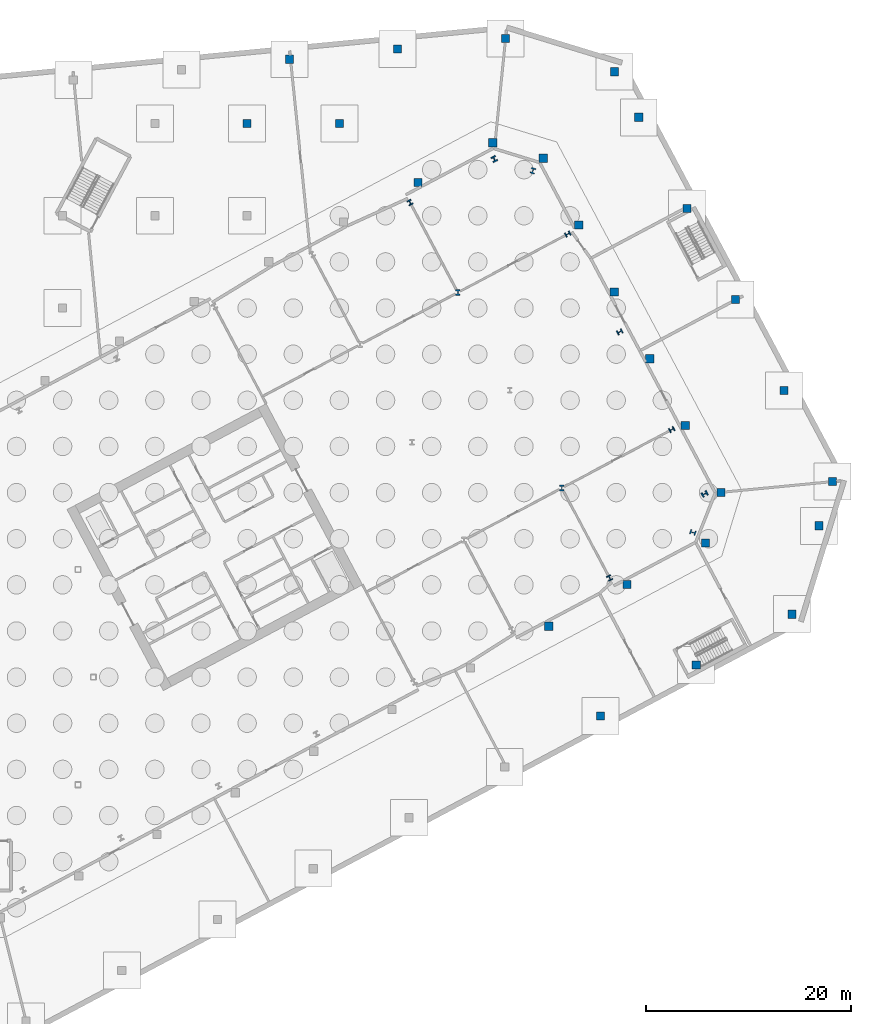
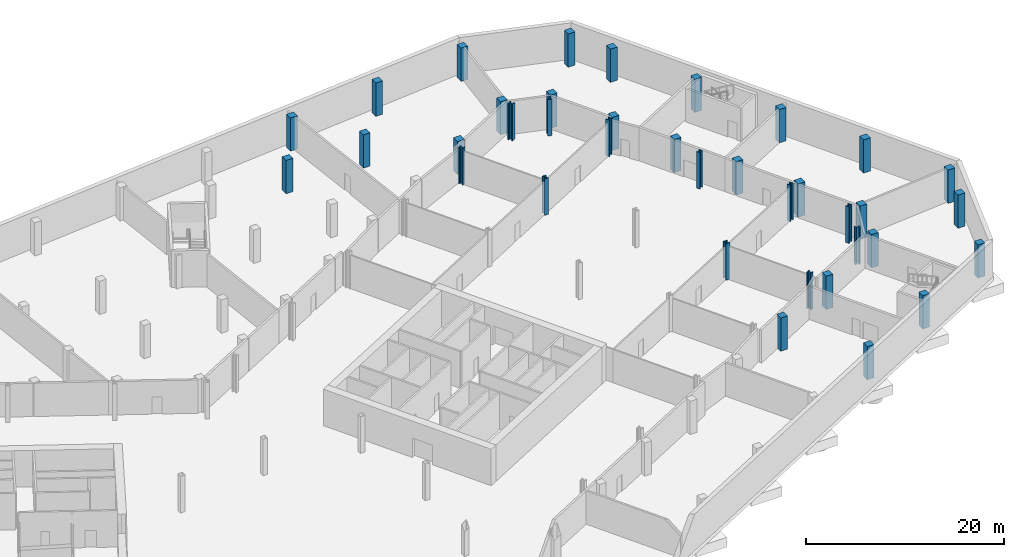
# One storey, part 7 of 29: 37 columns.
"""IFC4 building model written with IfcOpenShell, lengths in metres."""

import ifcopenshell
import ifcopenshell.guid

model = None  # the IFC model being written
_history = None  # IfcOwnerHistory: only IFC2X3 demands one
_inside = {}  # id of a spatial element -> (the spatial element, [elements in it])
_under = {}  # id of a project, library or spatial element -> (it, [spatial elements below it])
_declared = {}  # id of a project -> (the project, [libraries it declares])
_typed = {}  # id of a type object -> (the type object, [elements of that type])
_made_of = {}  # id of a material, layer set ... -> (it, [elements and type objects made of it])


def new_model(schema):
    """Start an empty IFC model of exactly this schema.

    Asked for "IFC4X3", IfcOpenShell would pick the latest addendum, in which some entities
    have other attributes; the version numbers below select the first issue.
    IFC2X3 requires an IfcOwnerHistory on every rooted entity: one is made here for all.
    """
    global model, _history
    if schema == "IFC4X3":
        model = ifcopenshell.file(schema_version=(4, 3, 0, 0))
    else:
        model = ifcopenshell.file(schema=schema)
    _inside.clear()
    _under.clear()
    _declared.clear()
    _typed.clear()
    _made_of.clear()
    _history = None
    if model.schema == "IFC2X3":
        org = make("IfcOrganization", Name="unknown")
        user = make(
            "IfcPersonAndOrganization",
            ThePerson=make("IfcPerson", FamilyName="unknown"),
            TheOrganization=org,
        )
        app = make(
            "IfcApplication",
            ApplicationDeveloper=org,
            Version="unknown",
            ApplicationFullName="unknown",
            ApplicationIdentifier="unknown",
        )
        _history = make(
            "IfcOwnerHistory",
            OwningUser=user,
            OwningApplication=app,
            ChangeAction="ADDED",
            CreationDate=0,
        )
    return model


def make(cls, **values):
    """One entity of the class cls with the attributes given. An attribute that is None is left unset."""
    return model.create_entity(
        cls, **{name: value for name, value in values.items() if value is not None}
    )


def rooted(cls, **values):
    """An entity with a GlobalId (a new one), such as an element, a storey or a relation."""
    return make(cls, GlobalId=ifcopenshell.guid.new(), OwnerHistory=_history, **values)


def si_unit(unit_type, name, prefix=None):
    """IfcSIUnit, for example si_unit("LENGTHUNIT", "METRE", prefix="MILLI")."""
    return make("IfcSIUnit", UnitType=unit_type, Prefix=prefix, Name=name)


def assignment(units):
    """IfcUnitAssignment: the units of a project."""
    return None if units is None else make("IfcUnitAssignment", Units=units)


def point(xyz):
    """IfcCartesianPoint."""
    return None if xyz is None else make("IfcCartesianPoint", Coordinates=xyz)


def direction(xyz):
    """IfcDirection."""
    return None if xyz is None else make("IfcDirection", DirectionRatios=xyz)


def frame(location, z_axis=None, x_axis=None):
    """IfcAxis2Placement3D, a coordinate frame: its origin and axes. An axis left out is left unset."""
    return make(
        "IfcAxis2Placement3D",
        Location=point(location),
        Axis=direction(z_axis),
        RefDirection=direction(x_axis),
    )


def frame_2d(location, x_axis=None):
    """IfcAxis2Placement2D, a coordinate frame in the plane: its origin and x axis."""
    return make(
        "IfcAxis2Placement2D", Location=point(location), RefDirection=direction(x_axis)
    )


def origin():
    """The frame at (0, 0, 0) with its axes left unset."""
    return frame((0.0, 0.0, 0.0))


def origin_2d():
    """The frame at (0, 0) in the plane with its x axis left unset."""
    return frame_2d((0.0, 0.0))


def place(relative_to, where):
    """IfcLocalPlacement: puts the frame where relative to a parent placement (None: the world)."""
    return make(
        "IfcLocalPlacement", PlacementRelTo=relative_to, RelativePlacement=where
    )


def context(
    kind, dimensions, precision=None, world=None, true_north=None, identifier=None
):
    """IfcGeometricRepresentationContext, for example the 3D "Model" context."""
    return make(
        "IfcGeometricRepresentationContext",
        ContextIdentifier=identifier,
        ContextType=kind,
        CoordinateSpaceDimension=dimensions,
        Precision=precision,
        WorldCoordinateSystem=world,
        TrueNorth=true_north,
    )


def subcontext(parent, identifier, kind, view, scale=None):
    """IfcGeometricRepresentationSubContext, for example "Body" below "Model"."""
    return make(
        "IfcGeometricRepresentationSubContext",
        ContextIdentifier=identifier,
        ContextType=kind,
        ParentContext=parent,
        TargetScale=scale,
        TargetView=view,
    )


def project(units=None, contexts=None):
    """IfcProject with its units and contexts."""
    return rooted(
        "IfcProject",
        Name="project",
        RepresentationContexts=contexts,
        UnitsInContext=assignment(units),
    )


def spatial(cls, under=None, at=None, **own):
    """A site, building, storey or space (cls), placed at a placement, below another one or the project."""
    s = rooted(cls, ObjectPlacement=at, **own)
    if under is not None:
        _under.setdefault(under.id(), (under, []))[1].append(s)
    return s


def profile(cls, at=None, kind="AREA", **sizes):
    """A parametric profile (cls). Its sizes go by their IFC names, for example OverallWidth=200.0."""
    return make(cls, ProfileType=kind, Position=at, **sizes)


def rectangle(**sizes):
    """IfcRectangleProfileDef."""
    return profile("IfcRectangleProfileDef", **sizes)


def i_section(**sizes):
    """IfcIShapeProfileDef."""
    return profile("IfcIShapeProfileDef", **sizes)


def extrude(swept, where, along, depth):
    """IfcExtrudedAreaSolid: the profile swept, set in the frame where, extruded along a direction by depth."""
    return make(
        "IfcExtrudedAreaSolid",
        SweptArea=swept,
        Position=where,
        ExtrudedDirection=direction(along),
        Depth=depth,
    )


def shape(context_of_items, identifier, shape_type, items):
    """IfcShapeRepresentation: the items that make up one representation, for example the "Body"."""
    return make(
        "IfcShapeRepresentation",
        ContextOfItems=context_of_items,
        RepresentationIdentifier=identifier,
        RepresentationType=shape_type,
        Items=items,
    )


def material(Name=None, Category=None):
    """IfcMaterial."""
    return make("IfcMaterial", Name=Name, Category=Category)


def material_profile(
    of_material, cross_section, Name=None, Category=None, Priority=None
):
    """IfcMaterialProfile: a cross section and its material."""
    return make(
        "IfcMaterialProfile",
        Name=Name,
        Material=of_material,
        Profile=cross_section,
        Priority=Priority,
        Category=Category,
    )


def profile_set(profiles, Name=None, composite=None):
    """IfcMaterialProfileSet."""
    return make(
        "IfcMaterialProfileSet",
        Name=Name,
        MaterialProfiles=profiles,
        CompositeProfile=composite,
    )


def made_of(thing, what):
    """Note that an element or type object is made of a material, layer set ...; save() writes the relation."""
    if what is not None:
        _made_of.setdefault(what.id(), (what, []))[1].append(thing)
    return thing


def type_object(cls, material=None, **own):
    """A type object (cls), such as IfcWallType, which elements share."""
    return made_of(rooted(cls, **own), material)


def element(
    cls,
    number,
    at=None,
    inside=None,
    cuts=None,
    type_object=None,
    material=None,
    context=None,
    identifier="Body",
    shape_type=None,
    held_by="IfcProductDefinitionShape",
    body=None,
    shapes=None,
    **own,
):
    """One element of the class cls, such as IfcWall. Its Tag is "e" and its number.

    at: its placement. inside: the storey or other place that contains it. cuts: it is an
    opening in that element (IfcRelVoidsElement). A single representation is given by context,
    identifier, shape_type and body (its items); several are given by shapes. held_by: the class
    of the entity that holds the representations. save() writes the other relations.
    """
    e = rooted(cls, Tag="e%d" % number, ObjectPlacement=at, **own)
    if body is not None:
        shapes = [shape(context, identifier, shape_type, body)]
    if shapes is not None:
        e.Representation = make(held_by, Representations=shapes)
    if inside is not None:
        _inside.setdefault(inside.id(), (inside, []))[1].append(e)
    if cuts is not None:
        rooted(
            "IfcRelVoidsElement", RelatingBuildingElement=cuts, RelatedOpeningElement=e
        )
    if type_object is not None:
        _typed.setdefault(type_object.id(), (type_object, []))[1].append(e)
    return made_of(e, material)


def aggregate(whole, parts):
    """IfcRelAggregates: a whole, such as a stair, and the parts it consists of."""
    return rooted("IfcRelAggregates", RelatingObject=whole, RelatedObjects=parts)


def save(model, path):
    """Write the relations noted so far, then the file.

    IfcRelAggregates (storeys below a building ...), IfcRelContainedInSpatialStructure (elements
    in a storey), IfcRelDefinesByType, IfcRelAssociatesMaterial and IfcRelDeclares: one each for
    every whole, place, type object, material and project.
    """
    for whole, parts in _under.values():
        aggregate(whole, parts)
    for where, things in _inside.values():
        rooted(
            "IfcRelContainedInSpatialStructure",
            RelatedElements=things,
            RelatingStructure=where,
        )
    for kind, things in _typed.values():
        rooted("IfcRelDefinesByType", RelatedObjects=things, RelatingType=kind)
    for what, things in _made_of.values():
        rooted("IfcRelAssociatesMaterial", RelatedObjects=things, RelatingMaterial=what)
    for by, libraries in _declared.values():
        rooted("IfcRelDeclares", RelatingContext=by, RelatedDefinitions=libraries)
    model.write(path)


model = new_model("IFC4")

# Units and contexts
model_context = context("Model", 3, precision=1e-05, world=origin(), true_north=direction((0.0, 1.0)))
body_context = subcontext(model_context, "Body", "Model", "MODEL_VIEW")
ifc_project = project(units=[si_unit("LENGTHUNIT", "METRE"), si_unit("AREAUNIT", "SQUARE_METRE"), si_unit("VOLUMEUNIT", "CUBIC_METRE"), si_unit("PLANEANGLEUNIT", "RADIAN"), si_unit("MASSUNIT", "GRAM", prefix="KILO")], contexts=[model_context])

# Site, building, storey
site_placement = place(None, origin())
site = spatial("IfcSite", under=ifc_project, at=site_placement, CompositionType="ELEMENT")
building_placement = place(site_placement, origin())
building = spatial("IfcBuilding", under=site, at=building_placement, Name="Cormorant Relay Tower", CompositionType="ELEMENT")
storey_placement = place(building_placement, frame((0.0, 0.0, -9.0)))
storey = spatial("IfcBuildingStorey", under=building, at=storey_placement, Name="B2", CompositionType="ELEMENT", Elevation=-9.0)

# Columns
ifc_material_1 = material(Name="Concrete 50 MPa", Category="concrete")
ifc_material_profile_1 = material_profile(ifc_material_1, rectangle(XDim=0.800048828125, YDim=0.800048828125, at=origin_2d()), Name="RC 800x800")
ifc_profile_set_1 = profile_set([ifc_material_profile_1], Name="Concrete 50 MPa")
column_type_1 = type_object("IfcColumnType", Name="Base column 800 x 800", PredefinedType="COLUMN", material=ifc_profile_set_1)
for number, where, z_axis, x_axis, name in (
    (1, (61.462890625, -3.7880859375, 0.0), (0.0, 0.0, 1.0), (1.0, 0.0, 0.0), "Base column"),
    (2, (70.800048828125, 1.176025390625, 0.0), (0.0, 0.0, 1.0), (1.0, 0.0, 0.0), "Base column"),
    (3, (56.4169921875, 4.968017578125, 0.0), (0.0, 0.0, 1.0), (1.0, 0.0, 0.0), "Base column"),
    (4, (80.136962890625, 6.14111328125, 0.0), (0.0, 0.0, 1.0), (1.0, 0.0, 0.0), "Base column"),
    (5, (64.05908203125, 9.031005859375, 0.0), (0.0, 0.0, 1.0), (1.0, 0.0, 0.0), "Base column"),
    (6, (71.700927734375, 13.093994140625, 0.0), (0.0, 0.0, 1.0), (1.0, 0.0, 0.0), "Base column"),
    (7, (82.77197265625, 14.760986328125, 0.0), (0.0, 0.0, 1.0), (1.0, 0.0, 0.0), "Base column"),
    (8, (73.2080078125, 18.02294921875, 0.0), (0.0, 0.0, 1.0), (1.0, 0.0, 0.0), "Base column"),
    (9, (84.090087890625, 19.071044921875, 0.0), (0.0, 0.0, 1.0), (1.0, 0.0, 0.0), "Base column"),
    (10, (69.741943359375, 24.541015625, 0.0), (0.0, 0.0, 1.0), (1.0, 0.0, 0.0), "Base column"),
    (11, (79.365966796875, 27.955078125, 0.0), (0.0, 0.0, 1.0), (1.0, 0.0, 0.0), "Base column"),
    (12, (66.27587890625, 31.05908203125, 0.0), (0.0, 0.0, 1.0), (1.0, 0.0, 0.0), "Base column"),
    (13, (74.64208984375, 36.839111328125, 0.0), (0.0, 0.0, 1.0), (1.0, 0.0, 0.0), "Base column"),
    (14, (62.81103515625, 37.576904296875, 0.0), (0.0, 0.0, 1.0), (1.0, 0.0, 0.0), "Base column"),
    (15, (59.344970703125, 44.095947265625, 0.0), (0.0, 0.0, 1.0), (1.0, 0.0, 0.0), "Base column"),
    (16, (69.91796875, 45.722900390625, 0.0), (0.0, 0.0, 1.0), (1.0, 0.0, 0.0), "Base column"),
    (17, (43.672119140625, 48.25, 0.0), (0.0, 0.0, 1.0), (1.0, 0.0, 0.0), "Base column"),
    (18, (55.87890625, 50.614013671875, 0.0), (0.0, 0.0, 1.0), (1.0, 0.0, 0.0), "Base column"),
    (19, (50.949951171875, 52.12109375, 0.0), (0.0, 0.0, 1.0), (1.0, 0.0, 0.0), "Base column"),
    (20, (27.0, 54.0, 0.0), (0.0, 0.0, 1.0), (1.0, 0.0, 0.0), "Base column"),
    (21, (36.0, 54.0, 0.0), (0.0, 0.0, 1.0), (1.0, 0.0, 0.0), "Base column"),
    (22, (65.195068359375, 54.60693359375, 0.0), (0.0, 0.0, 1.0), (1.0, 0.0, 0.0), "Base column"),
    (23, (62.8330078125, 59.049072265625, 0.0), (0.0, 0.0, 1.0), (1.0, 0.0, 0.0), "Base column"),
    (24, (31.1259765625, 60.26611328125, 0.0), (0.0, 0.0, 1.0), (1.0, 0.0, 0.0), "Base column"),
    (25, (41.6669921875, 61.281982421875, 0.0), (0.0, 0.0, 1.0), (1.0, 0.0, 0.0), "Base column"),
    (26, (52.2080078125, 62.298095703125, 0.0), (0.0, 0.0, 1.0), (1.0, 0.0, 0.0), "Base column"),
):
    element("IfcColumn", number, at=place(storey_placement, frame(where, z_axis=z_axis, x_axis=x_axis)), inside=storey, type_object=column_type_1, Name=name, PredefinedType="COLUMN", context=body_context, shape_type="SweptSolid", body=[
        extrude(rectangle(XDim=0.800048828125, YDim=0.800048828125, at=origin_2d()), origin(), (0.0, 0.0, 1.0), 4.10009765625),
    ])
ifc_material_2 = material(Name="Steel ASTM A992 (Fy 345 MPa)", Category="steel")
ifc_material_profile_2 = material_profile(ifc_material_2, i_section(OverallWidth=0.45458984375, OverallDepth=0.569091796875, WebThickness=0.077880859375, FlangeThickness=0.124755859375, FilletRadius=0.015380859375, at=origin_2d()), Name="W360x1086")
ifc_profile_set_2 = profile_set([ifc_material_profile_2], Name="Steel ASTM A992 (Fy 345 MPa)")
column_type_2 = type_object("IfcColumnType", Name="Column W360x1086", PredefinedType="COLUMN", material=ifc_profile_set_2)
for number, where, z_axis, x_axis, name in (
    (27, (70.47412109375, 14.10595703125, 0.0), (0.0, 0.0, 1.0), (0.292371704723, 0.956304755963, 0.0), "Column B2-026"),
    (28, (71.625, 17.87109375, 0.0), (0.0, 0.0, 1.0), (-0.469471562786, 0.882947592859, 0.0), "Column B2-028"),
    (29, (57.694091796875, 18.445068359375, 0.0), (0.0, 0.0, 1.0), (1.0, 0.0, 0.0), "Column B2-029"),
    (30, (47.552978515625, 37.51611328125, 0.0), (0.0, 0.0, 1.0), (1.0, 0.0, 0.0), "Column B2-045"),
    (31, (54.866943359375, 49.385986328125, 0.0), (0.0, 0.0, 1.0), (-0.956304755963, 0.292371704723, 0.0), "Column B2-053"),
    (32, (51.10302734375, 50.537109375, 0.0), (0.0, 0.0, 1.0), (-0.882947592859, -0.469471562786, 0.0), "Column B2-054"),
):
    element("IfcColumn", number, at=place(storey_placement, frame(where, z_axis=z_axis, x_axis=x_axis)), inside=storey, type_object=column_type_2, Name=name, PredefinedType="COLUMN", context=body_context, shape_type="SweptSolid", body=[
        extrude(i_section(OverallWidth=0.45458984375, OverallDepth=0.569091796875, WebThickness=0.077880859375, FlangeThickness=0.124755859375, FilletRadius=0.015380859375, at=origin_2d()), origin(), (0.0, 0.0, 1.0), 4.5),
    ])
ifc_material_3 = material(Name="Steel ASTM A992 (Fy 345 MPa)", Category="steel")
ifc_material_profile_3 = material_profile(ifc_material_3, i_section(OverallWidth=0.43701171875, OverallDepth=0.51318359375, WebThickness=0.060546875, FlangeThickness=0.096923828125, FilletRadius=0.015380859375, at=origin_2d()), Name="W360x818")
ifc_profile_set_3 = profile_set([ifc_material_profile_3], Name="Steel ASTM A992 (Fy 345 MPa)")
column_type_3 = type_object("IfcColumnType", Name="Column W360x818", PredefinedType="COLUMN", material=ifc_profile_set_3)
for number, where, z_axis, x_axis, name in (
    (33, (62.361083984375, 9.66796875, 0.0), (0.0, 0.0, 1.0), (0.882947592859, 0.469471562786, 0.0), "Column B2-020"),
    (34, (68.4130859375, 24.14404296875, 0.0), (0.0, 0.0, 1.0), (-0.469471562786, 0.882947592859, 0.0), "Column B2-033"),
    (35, (63.343017578125, 33.679931640625, 0.0), (0.0, 0.0, 1.0), (-0.469471562786, 0.882947592859, 0.0), "Column B2-042"),
    (36, (58.27197265625, 43.216064453125, 0.0), (0.0, 0.0, 1.0), (-0.469471562786, 0.882947592859, 0.0), "Column B2-051"),
    (37, (42.886962890625, 46.29296875, 0.0), (0.0, 0.0, 1.0), (-0.882947592859, -0.469471562786, 0.0), "Column B2-052"),
):
    element("IfcColumn", number, at=place(storey_placement, frame(where, z_axis=z_axis, x_axis=x_axis)), inside=storey, type_object=column_type_3, Name=name, PredefinedType="COLUMN", context=body_context, shape_type="SweptSolid", body=[
        extrude(i_section(OverallWidth=0.43701171875, OverallDepth=0.51318359375, WebThickness=0.060546875, FlangeThickness=0.096923828125, FilletRadius=0.015380859375, at=origin_2d()), origin(), (0.0, 0.0, 1.0), 4.5),
    ])

save(model, "model.ifc")
